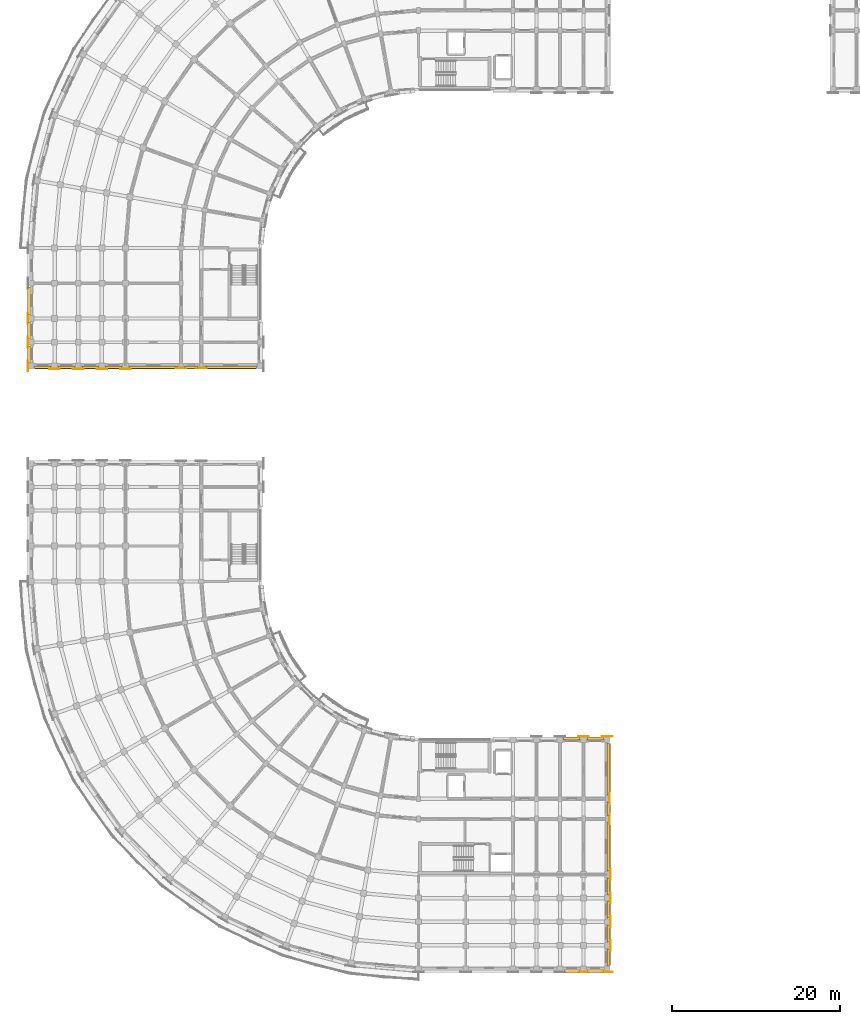
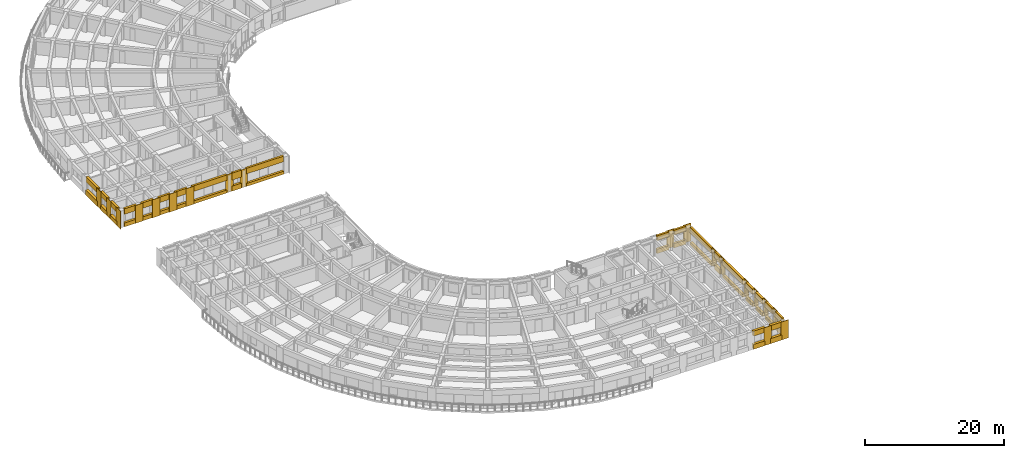
# One storey, part 45 of 57: 61 coverings.
"""IFC4 building model written with IfcOpenShell, lengths in metres."""

from ifc_helpers import new_model, si_unit, direction, frame, origin, place, context, subcontext, project, spatial, polyline, outline, extrude, material, layer, layer_set, type_object, element, save


model = new_model("IFC4")

# Units and contexts
model_context = context("Model", 3, precision=1e-05, world=origin(), true_north=direction((0.0, 1.0)))
body_context = subcontext(model_context, "Body", "Model", "MODEL_VIEW")
ifc_project = project(units=[si_unit("LENGTHUNIT", "METRE"), si_unit("AREAUNIT", "SQUARE_METRE"), si_unit("VOLUMEUNIT", "CUBIC_METRE"), si_unit("PLANEANGLEUNIT", "RADIAN"), si_unit("MASSUNIT", "GRAM", prefix="KILO")], contexts=[model_context])

# Site, building, storey
site_placement = place(None, origin())
site = spatial("IfcSite", under=ifc_project, at=site_placement, CompositionType="ELEMENT")
building_placement = place(site_placement, origin())
building = spatial("IfcBuilding", under=site, at=building_placement, Name="Kiranvali Square Residences", CompositionType="ELEMENT")
storey_placement = place(building_placement, frame((0.0, 0.0, 18.14990234375)))
storey = spatial("IfcBuildingStorey", under=building, at=storey_placement, Name="L05", CompositionType="ELEMENT", Elevation=18.14990234375)

# Coverings
ifc_material = material(Name="Honed Porbandar limestone ashlar facade cladding", Category="masonry")
ifc_layer_1 = layer(ifc_material, 0.06494140625)
ifc_layer_set_1 = layer_set([ifc_layer_1], Name="Honed Porbandar limestone ashlar facade cladding")
covering_type_1 = type_object("IfcCoveringType", Name="COV-CLAD-PIER", PredefinedType="CLADDING", material=ifc_layer_set_1)
covering_1_placement = place(storey_placement, frame((0.0, 0.0, 0.005126953125)))
element("IfcCovering", 1, at=covering_1_placement, inside=storey, type_object=covering_type_1, Name="L05 Classical limestone pilaster casing CLAD-PR-A-L05-V84", PredefinedType="CLADDING", context=body_context, shape_type="SweptSolid", body=[
    extrude(outline(polyline([(1.781982421875, 80.030029296875), (1.781982421875, 78.77001953125), (1.849609375, 78.77001953125), (1.849609375, 80.030029296875), (1.781982421875, 80.030029296875)])), origin(), (0.0, 0.0, 1.0), 3.139892578125),
])
covering_2_placement = place(storey_placement, frame((0.0, 0.0, 0.005126953125)))
element("IfcCovering", 2, at=covering_2_placement, inside=storey, type_object=covering_type_1, Name="L05 Classical limestone pilaster casing CLAD-PR-A-L05-V112", PredefinedType="CLADDING", context=body_context, shape_type="SweptSolid", body=[
    extrude(outline(polyline([(1.781982421875, 77.22998046875), (1.781982421875, 75.969970703125), (1.849609375, 75.969970703125), (1.849609375, 77.22998046875), (1.781982421875, 77.22998046875)])), origin(), (0.0, 0.0, 1.0), 3.139892578125),
])
covering_3_placement = place(storey_placement, frame((0.0, 0.0, 0.005126953125)))
element("IfcCovering", 3, at=covering_3_placement, inside=storey, type_object=covering_type_1, Name="L05 Classical limestone pilaster casing CLAD-PR-A-L05-V140", PredefinedType="CLADDING", context=body_context, shape_type="SweptSolid", body=[
    extrude(outline(polyline([(1.781982421875, 74.429931640625), (1.781982421875, 73.169921875), (1.849609375, 73.169921875), (1.849609375, 74.429931640625), (1.781982421875, 74.429931640625)])), origin(), (0.0, 0.0, 1.0), 3.139892578125),
])
covering_4_placement = place(storey_placement, frame((0.0, 0.0, 0.005126953125)))
element("IfcCovering", 4, at=covering_4_placement, inside=storey, type_object=covering_type_1, Name="L05 Classical limestone pilaster casing CLAD-PR-C-L05-U195", PredefinedType="CLADDING", context=body_context, shape_type="SweptSolid", body=[
    extrude(outline(polyline([(67.169921875, 1.781982421875), (68.429931640625, 1.781982421875), (68.429931640625, 1.849609375), (67.169921875, 1.849609375), (67.169921875, 1.781982421875)])), origin(), (0.0, 0.0, 1.0), 3.139892578125),
])
covering_5_placement = place(storey_placement, frame((0.0, 0.0, 0.005126953125)))
element("IfcCovering", 5, at=covering_5_placement, inside=storey, type_object=covering_type_1, Name="L05 Classical limestone pilaster casing CLAD-PR-C-L05-U224", PredefinedType="CLADDING", context=body_context, shape_type="SweptSolid", body=[
    extrude(outline(polyline([(69.969970703125, 1.781982421875), (71.22998046875, 1.781982421875), (71.22998046875, 1.849609375), (69.969970703125, 1.849609375), (69.969970703125, 1.781982421875)])), origin(), (0.0, 0.0, 1.0), 3.139892578125),
])
ifc_layer_2 = layer(ifc_material, 0.050048828125)
ifc_layer_set_2 = layer_set([ifc_layer_2], Name="Honed Porbandar limestone ashlar facade cladding")
covering_type_2 = type_object("IfcCoveringType", Name="COV-CLAD-PIER-IN", PredefinedType="CLADDING", material=ifc_layer_set_2)
covering_6_placement = place(storey_placement, frame((0.0, 0.0, 0.005126953125)))
element("IfcCovering", 6, at=covering_6_placement, inside=storey, type_object=covering_type_2, Name="L05 Classical limestone pilaster casing CLAD-PRA1I-C-L05-U195", PredefinedType="CLADDING", context=body_context, shape_type="SweptSolid", body=[
    extrude(outline(polyline([(67.169921875, 29.75048828125), (68.429931640625, 29.75048828125), (68.429931640625, 29.818115234375), (67.169921875, 29.818115234375), (67.169921875, 29.75048828125)])), origin(), (0.0, 0.0, 1.0), 3.139892578125),
])
covering_7_placement = place(storey_placement, frame((0.0, 0.0, 0.005126953125)))
element("IfcCovering", 7, at=covering_7_placement, inside=storey, type_object=covering_type_2, Name="L05 Classical limestone pilaster casing CLAD-PRA1I-C-L05-U224", PredefinedType="CLADDING", context=body_context, shape_type="SweptSolid", body=[
    extrude(outline(polyline([(69.969970703125, 29.75048828125), (71.22998046875, 29.75048828125), (71.22998046875, 29.818115234375), (69.969970703125, 29.818115234375), (69.969970703125, 29.75048828125)])), origin(), (0.0, 0.0, 1.0), 3.139892578125),
])
ifc_layer_3 = layer(ifc_material, 0.054931640625)
ifc_layer_set_3 = layer_set([ifc_layer_3], Name="Honed Porbandar limestone ashlar facade cladding")
covering_type_3 = type_object("IfcCoveringType", Name="COV-CLAD-PIER-UP", PredefinedType="CLADDING", material=ifc_layer_set_3)
covering_8_placement = place(storey_placement, frame((0.0, 0.0, 0.005126953125)))
element("IfcCovering", 8, at=covering_8_placement, inside=storey, type_object=covering_type_3, Name="L05 Classical limestone pilaster casing CLAD-PRA2E-A-L05-R258", PredefinedType="CLADDING", context=body_context, shape_type="SweptSolid", body=[
    extrude(outline(polyline([(23.030029296875, 73.549560546875), (21.77001953125, 73.549560546875), (21.77001953125, 73.48193359375), (23.030029296875, 73.48193359375), (23.030029296875, 73.549560546875)])), origin(), (0.0, 0.0, 1.0), 3.139892578125),
])
covering_9_placement = place(storey_placement, frame((0.0, 0.0, 0.005126953125)))
element("IfcCovering", 9, at=covering_9_placement, inside=storey, type_object=covering_type_3, Name="L05 Classical limestone pilaster casing CLAD-PRA2E-A-L05-R282", PredefinedType="CLADDING", context=body_context, shape_type="SweptSolid", body=[
    extrude(outline(polyline([(20.6298828125, 73.549560546875), (19.3701171875, 73.549560546875), (19.3701171875, 73.48193359375), (20.6298828125, 73.48193359375), (20.6298828125, 73.549560546875)])), origin(), (0.0, 0.0, 1.0), 3.139892578125),
])
covering_10_placement = place(storey_placement, frame((0.0, 0.0, 0.005126953125)))
element("IfcCovering", 10, at=covering_10_placement, inside=storey, type_object=covering_type_3, Name="L05 Classical limestone pilaster casing CLAD-PRA2E-A-L05-R348", PredefinedType="CLADDING", context=body_context, shape_type="SweptSolid", body=[
    extrude(outline(polyline([(14.030029296875, 73.449462890625), (12.77001953125, 73.449462890625), (12.77001953125, 73.382080078125), (14.030029296875, 73.382080078125), (14.030029296875, 73.449462890625)])), origin(), (0.0, 0.0, 1.0), 3.139892578125),
])
covering_11_placement = place(storey_placement, frame((0.0, 0.0, 0.005126953125)))
element("IfcCovering", 11, at=covering_11_placement, inside=storey, type_object=covering_type_3, Name="L05 Classical limestone pilaster casing CLAD-PRA2E-A-L05-R376", PredefinedType="CLADDING", context=body_context, shape_type="SweptSolid", body=[
    extrude(outline(polyline([(11.22998046875, 73.449462890625), (9.969970703125, 73.449462890625), (9.969970703125, 73.382080078125), (11.22998046875, 73.382080078125), (11.22998046875, 73.449462890625)])), origin(), (0.0, 0.0, 1.0), 3.139892578125),
])
covering_12_placement = place(storey_placement, frame((0.0, 0.0, 0.005126953125)))
element("IfcCovering", 12, at=covering_12_placement, inside=storey, type_object=covering_type_3, Name="L05 Classical limestone pilaster casing CLAD-PRA2E-A-L05-R404", PredefinedType="CLADDING", context=body_context, shape_type="SweptSolid", body=[
    extrude(outline(polyline([(8.429931640625, 73.449462890625), (7.169921875, 73.449462890625), (7.169921875, 73.382080078125), (8.429931640625, 73.382080078125), (8.429931640625, 73.449462890625)])), origin(), (0.0, 0.0, 1.0), 3.139892578125),
])
covering_13_placement = place(storey_placement, frame((0.0, 0.0, 0.005126953125)))
element("IfcCovering", 13, at=covering_13_placement, inside=storey, type_object=covering_type_3, Name="L05 Classical limestone pilaster casing CLAD-PRA2E-A-L05-R432", PredefinedType="CLADDING", context=body_context, shape_type="SweptSolid", body=[
    extrude(outline(polyline([(5.6298828125, 73.449462890625), (4.3701171875, 73.449462890625), (4.3701171875, 73.382080078125), (5.6298828125, 73.382080078125), (5.6298828125, 73.449462890625)])), origin(), (0.0, 0.0, 1.0), 3.139892578125),
])
covering_14_placement = place(storey_placement, frame((0.0, 0.0, 0.005126953125)))
element("IfcCovering", 14, at=covering_14_placement, inside=storey, type_object=covering_type_3, Name="L05 Classical limestone pilaster casing CLAD-PRA1E-C-L05-R258", PredefinedType="CLADDING", context=body_context, shape_type="SweptSolid", body=[
    extrude(outline(polyline([(70.8505859375, 23.030029296875), (70.8505859375, 21.77001953125), (70.91796875, 21.77001953125), (70.91796875, 23.030029296875), (70.8505859375, 23.030029296875)])), origin(), (0.0, 0.0, 1.0), 3.139892578125),
])
covering_15_placement = place(storey_placement, frame((0.0, 0.0, 0.005126953125)))
element("IfcCovering", 15, at=covering_15_placement, inside=storey, type_object=covering_type_3, Name="L05 Classical limestone pilaster casing CLAD-PRA1E-C-L05-R282", PredefinedType="CLADDING", context=body_context, shape_type="SweptSolid", body=[
    extrude(outline(polyline([(70.8505859375, 20.6298828125), (70.8505859375, 19.3701171875), (70.91796875, 19.3701171875), (70.91796875, 20.6298828125), (70.8505859375, 20.6298828125)])), origin(), (0.0, 0.0, 1.0), 3.139892578125),
])
covering_16_placement = place(storey_placement, frame((0.0, 0.0, 0.005126953125)))
element("IfcCovering", 16, at=covering_16_placement, inside=storey, type_object=covering_type_3, Name="L05 Classical limestone pilaster casing CLAD-PRA1E-C-L05-R348", PredefinedType="CLADDING", context=body_context, shape_type="SweptSolid", body=[
    extrude(outline(polyline([(70.950439453125, 14.030029296875), (70.950439453125, 12.77001953125), (71.01806640625, 12.77001953125), (71.01806640625, 14.030029296875), (70.950439453125, 14.030029296875)])), origin(), (0.0, 0.0, 1.0), 3.139892578125),
])
covering_17_placement = place(storey_placement, frame((0.0, 0.0, 0.005126953125)))
element("IfcCovering", 17, at=covering_17_placement, inside=storey, type_object=covering_type_3, Name="L05 Classical limestone pilaster casing CLAD-PRA1E-C-L05-R376", PredefinedType="CLADDING", context=body_context, shape_type="SweptSolid", body=[
    extrude(outline(polyline([(70.950439453125, 11.22998046875), (70.950439453125, 9.969970703125), (71.01806640625, 9.969970703125), (71.01806640625, 11.22998046875), (70.950439453125, 11.22998046875)])), origin(), (0.0, 0.0, 1.0), 3.139892578125),
])
covering_18_placement = place(storey_placement, frame((0.0, 0.0, 0.005126953125)))
element("IfcCovering", 18, at=covering_18_placement, inside=storey, type_object=covering_type_3, Name="L05 Classical limestone pilaster casing CLAD-PRA1E-C-L05-R404", PredefinedType="CLADDING", context=body_context, shape_type="SweptSolid", body=[
    extrude(outline(polyline([(70.950439453125, 8.429931640625), (70.950439453125, 7.169921875), (71.01806640625, 7.169921875), (71.01806640625, 8.429931640625), (70.950439453125, 8.429931640625)])), origin(), (0.0, 0.0, 1.0), 3.139892578125),
])
covering_19_placement = place(storey_placement, frame((0.0, 0.0, 0.005126953125)))
element("IfcCovering", 19, at=covering_19_placement, inside=storey, type_object=covering_type_3, Name="L05 Classical limestone pilaster casing CLAD-PRA1E-C-L05-R432", PredefinedType="CLADDING", context=body_context, shape_type="SweptSolid", body=[
    extrude(outline(polyline([(70.950439453125, 5.6298828125), (70.950439453125, 4.3701171875), (71.01806640625, 4.3701171875), (71.01806640625, 5.6298828125), (70.950439453125, 5.6298828125)])), origin(), (0.0, 0.0, 1.0), 3.139892578125),
])
ifc_layer_4 = layer(ifc_material, 0.360107421875)
ifc_layer_set_4 = layer_set([ifc_layer_4], Name="Honed Porbandar limestone ashlar facade cladding")
covering_type_4 = type_object("IfcCoveringType", Name="COV-CLAD-WALL", PredefinedType="CLADDING", material=ifc_layer_set_4)
covering_20_placement = place(storey_placement, frame((0.0, 0.0, 2.280029296875)))
element("IfcCovering", 20, at=covering_20_placement, inside=storey, type_object=covering_type_4, Name="L05 light limestone spandrel lintel A-L05-A2O-1", PredefinedType="CLADDING", context=body_context, shape_type="SweptSolid", body=[
    extrude(outline(polyline([(1.800048828125, 83.179931640625), (1.800048828125, 79.820068359375), (2.199462890625, 79.820068359375), (2.199462890625, 83.179931640625), (1.800048828125, 83.179931640625)])), origin(), (0.0, 0.0, 1.0), 0.864990234375),
])
covering_21_placement = place(storey_placement, frame((0.0, 0.0, 0.005126953125)))
element("IfcCovering", 21, at=covering_21_placement, inside=storey, type_object=covering_type_4, Name="L05 limestone window sill apron A-L05-A2O-1", PredefinedType="CLADDING", context=body_context, shape_type="SweptSolid", body=[
    extrude(outline(polyline([(1.77001953125, 83.179931640625), (1.77001953125, 79.820068359375), (2.199462890625, 79.820068359375), (2.199462890625, 83.179931640625), (1.77001953125, 83.179931640625)])), origin(), (0.0, 0.0, 1.0), 0.875),
])
covering_22_placement = place(storey_placement, frame((0.0, 0.0, 2.272216796875)))
element("IfcCovering", 22, at=covering_22_placement, inside=storey, type_object=covering_type_4, Name="L05 light limestone spandrel lintel A-L05-A2O-2", PredefinedType="CLADDING", context=body_context, shape_type="SweptSolid", body=[
    extrude(outline(polyline([(1.800048828125, 78.97998046875), (1.800048828125, 77.02001953125), (2.199462890625, 77.02001953125), (2.199462890625, 78.97998046875), (1.800048828125, 78.97998046875)])), origin(), (0.0, 0.0, 1.0), 0.872802734375),
])
covering_23_placement = place(storey_placement, frame((0.0, 0.0, 0.005126953125)))
element("IfcCovering", 23, at=covering_23_placement, inside=storey, type_object=covering_type_4, Name="L05 limestone window sill apron A-L05-A2O-2", PredefinedType="CLADDING", context=body_context, shape_type="SweptSolid", body=[
    extrude(outline(polyline([(1.77001953125, 78.97998046875), (1.77001953125, 77.02001953125), (2.199462890625, 77.02001953125), (2.199462890625, 78.97998046875), (1.77001953125, 78.97998046875)])), origin(), (0.0, 0.0, 1.0), 0.76708984375),
])
covering_24_placement = place(storey_placement, frame((0.0, 0.0, 2.272216796875)))
element("IfcCovering", 24, at=covering_24_placement, inside=storey, type_object=covering_type_4, Name="L05 light limestone spandrel lintel A-L05-A2O-3", PredefinedType="CLADDING", context=body_context, shape_type="SweptSolid", body=[
    extrude(outline(polyline([(1.800048828125, 76.179931640625), (1.800048828125, 74.219970703125), (2.199462890625, 74.219970703125), (2.199462890625, 76.179931640625), (1.800048828125, 76.179931640625)])), origin(), (0.0, 0.0, 1.0), 0.872802734375),
])
covering_25_placement = place(storey_placement, frame((0.0, 0.0, 0.005126953125)))
element("IfcCovering", 25, at=covering_25_placement, inside=storey, type_object=covering_type_4, Name="L05 limestone window sill apron A-L05-A2O-3", PredefinedType="CLADDING", context=body_context, shape_type="SweptSolid", body=[
    extrude(outline(polyline([(1.77001953125, 76.179931640625), (1.77001953125, 74.219970703125), (2.199462890625, 74.219970703125), (2.199462890625, 76.179931640625), (1.77001953125, 76.179931640625)])), origin(), (0.0, 0.0, 1.0), 0.76708984375),
])
covering_26_placement = place(storey_placement, frame((0.0, 0.0, 2.172119140625)))
element("IfcCovering", 26, at=covering_26_placement, inside=storey, type_object=covering_type_4, Name="L05 light limestone spandrel lintel A-L05-A2END-0", PredefinedType="CLADDING", context=body_context, shape_type="SweptSolid", body=[
    extrude(outline(polyline([(28.97998046875, 73.799560546875), (22.820068359375, 73.799560546875), (22.820068359375, 73.4599609375), (28.97998046875, 73.4599609375), (28.97998046875, 73.799560546875)])), origin(), (0.0, 0.0, 1.0), 0.972900390625),
])
covering_27_placement = place(storey_placement, frame((0.0, 0.0, 0.005126953125)))
element("IfcCovering", 27, at=covering_27_placement, inside=storey, type_object=covering_type_4, Name="L05 limestone window sill apron A-L05-A2END-0", PredefinedType="CLADDING", context=body_context, shape_type="SweptSolid", body=[
    extrude(outline(polyline([(28.97998046875, 73.799560546875), (22.820068359375, 73.799560546875), (22.820068359375, 73.429931640625), (28.97998046875, 73.429931640625), (28.97998046875, 73.799560546875)])), origin(), (0.0, 0.0, 1.0), 0.51708984375),
])
covering_28_placement = place(storey_placement, frame((0.0, 0.0, 1.93017578125)))
element("IfcCovering", 28, at=covering_28_placement, inside=storey, type_object=covering_type_4, Name="L05 light limestone spandrel lintel A-L05-A2END-1", PredefinedType="CLADDING", context=body_context, shape_type="SweptSolid", body=[
    extrude(outline(polyline([(21.97998046875, 73.799560546875), (20.419921875, 73.799560546875), (20.419921875, 73.4599609375), (21.97998046875, 73.4599609375), (21.97998046875, 73.799560546875)])), origin(), (0.0, 0.0, 1.0), 1.21484375),
])
covering_29_placement = place(storey_placement, frame((0.0, 0.0, 0.005126953125)))
element("IfcCovering", 29, at=covering_29_placement, inside=storey, type_object=covering_type_4, Name="L05 limestone window sill apron A-L05-A2END-1", PredefinedType="CLADDING", context=body_context, shape_type="SweptSolid", body=[
    extrude(outline(polyline([(21.97998046875, 73.799560546875), (20.419921875, 73.799560546875), (20.419921875, 73.429931640625), (21.97998046875, 73.429931640625), (21.97998046875, 73.799560546875)])), origin(), (0.0, 0.0, 1.0), 0.875),
])
covering_30_placement = place(storey_placement, frame((0.0, 0.0, 2.172119140625)))
element("IfcCovering", 30, at=covering_30_placement, inside=storey, type_object=covering_type_4, Name="L05 light limestone spandrel lintel A-L05-A2END-2", PredefinedType="CLADDING", context=body_context, shape_type="SweptSolid", body=[
    extrude(outline(polyline([(19.580078125, 73.799560546875), (13.820068359375, 73.799560546875), (13.820068359375, 73.4599609375), (19.580078125, 73.4599609375), (19.580078125, 73.799560546875)])), origin(), (0.0, 0.0, 1.0), 0.972900390625),
])
covering_31_placement = place(storey_placement, frame((0.0, 0.0, 0.005126953125)))
element("IfcCovering", 31, at=covering_31_placement, inside=storey, type_object=covering_type_4, Name="L05 limestone window sill apron A-L05-A2END-2", PredefinedType="CLADDING", context=body_context, shape_type="SweptSolid", body=[
    extrude(outline(polyline([(19.580078125, 73.799560546875), (13.820068359375, 73.799560546875), (13.820068359375, 73.429931640625), (19.580078125, 73.429931640625), (19.580078125, 73.799560546875)])), origin(), (0.0, 0.0, 1.0), 0.51708984375),
])
covering_32_placement = place(storey_placement, frame((0.0, 0.0, 2.172119140625)))
element("IfcCovering", 32, at=covering_32_placement, inside=storey, type_object=covering_type_4, Name="L05 light limestone spandrel lintel A-L05-A2END-3", PredefinedType="CLADDING", context=body_context, shape_type="SweptSolid", body=[
    extrude(outline(polyline([(12.97998046875, 73.799560546875), (11.02001953125, 73.799560546875), (11.02001953125, 73.4599609375), (12.97998046875, 73.4599609375), (12.97998046875, 73.799560546875)])), origin(), (0.0, 0.0, 1.0), 0.972900390625),
])
covering_33_placement = place(storey_placement, frame((0.0, 0.0, 0.005126953125)))
element("IfcCovering", 33, at=covering_33_placement, inside=storey, type_object=covering_type_4, Name="L05 limestone window sill apron A-L05-A2END-3", PredefinedType="CLADDING", context=body_context, shape_type="SweptSolid", body=[
    extrude(outline(polyline([(12.97998046875, 73.799560546875), (11.02001953125, 73.799560546875), (11.02001953125, 73.429931640625), (12.97998046875, 73.429931640625), (12.97998046875, 73.799560546875)])), origin(), (0.0, 0.0, 1.0), 0.6669921875),
])
covering_34_placement = place(storey_placement, frame((0.0, 0.0, 2.172119140625)))
element("IfcCovering", 34, at=covering_34_placement, inside=storey, type_object=covering_type_4, Name="L05 light limestone spandrel lintel A-L05-A2END-4", PredefinedType="CLADDING", context=body_context, shape_type="SweptSolid", body=[
    extrude(outline(polyline([(10.179931640625, 73.799560546875), (8.219970703125, 73.799560546875), (8.219970703125, 73.4599609375), (10.179931640625, 73.4599609375), (10.179931640625, 73.799560546875)])), origin(), (0.0, 0.0, 1.0), 0.972900390625),
])
covering_35_placement = place(storey_placement, frame((0.0, 0.0, 0.005126953125)))
element("IfcCovering", 35, at=covering_35_placement, inside=storey, type_object=covering_type_4, Name="L05 limestone window sill apron A-L05-A2END-4", PredefinedType="CLADDING", context=body_context, shape_type="SweptSolid", body=[
    extrude(outline(polyline([(10.179931640625, 73.799560546875), (8.219970703125, 73.799560546875), (8.219970703125, 73.429931640625), (10.179931640625, 73.429931640625), (10.179931640625, 73.799560546875)])), origin(), (0.0, 0.0, 1.0), 0.6669921875),
])
covering_36_placement = place(storey_placement, frame((0.0, 0.0, 2.172119140625)))
element("IfcCovering", 36, at=covering_36_placement, inside=storey, type_object=covering_type_4, Name="L05 light limestone spandrel lintel A-L05-A2END-5", PredefinedType="CLADDING", context=body_context, shape_type="SweptSolid", body=[
    extrude(outline(polyline([(7.3798828125, 73.799560546875), (5.419921875, 73.799560546875), (5.419921875, 73.4599609375), (7.3798828125, 73.4599609375), (7.3798828125, 73.799560546875)])), origin(), (0.0, 0.0, 1.0), 0.972900390625),
])
covering_37_placement = place(storey_placement, frame((0.0, 0.0, 0.005126953125)))
element("IfcCovering", 37, at=covering_37_placement, inside=storey, type_object=covering_type_4, Name="L05 limestone window sill apron A-L05-A2END-5", PredefinedType="CLADDING", context=body_context, shape_type="SweptSolid", body=[
    extrude(outline(polyline([(7.3798828125, 73.799560546875), (5.419921875, 73.799560546875), (5.419921875, 73.429931640625), (7.3798828125, 73.429931640625), (7.3798828125, 73.799560546875)])), origin(), (0.0, 0.0, 1.0), 0.6669921875),
])
covering_38_placement = place(storey_placement, frame((0.0, 0.0, 2.172119140625)))
element("IfcCovering", 38, at=covering_38_placement, inside=storey, type_object=covering_type_4, Name="L05 light limestone spandrel lintel A-L05-A2END-6", PredefinedType="CLADDING", context=body_context, shape_type="SweptSolid", body=[
    extrude(outline(polyline([(4.580078125, 73.799560546875), (2.6201171875, 73.799560546875), (2.6201171875, 73.4599609375), (4.580078125, 73.4599609375), (4.580078125, 73.799560546875)])), origin(), (0.0, 0.0, 1.0), 0.972900390625),
])
covering_39_placement = place(storey_placement, frame((0.0, 0.0, 0.005126953125)))
element("IfcCovering", 39, at=covering_39_placement, inside=storey, type_object=covering_type_4, Name="L05 limestone window sill apron A-L05-A2END-6", PredefinedType="CLADDING", context=body_context, shape_type="SweptSolid", body=[
    extrude(outline(polyline([(4.580078125, 73.799560546875), (2.6201171875, 73.799560546875), (2.6201171875, 73.429931640625), (4.580078125, 73.429931640625), (4.580078125, 73.799560546875)])), origin(), (0.0, 0.0, 1.0), 0.6669921875),
])
covering_40_placement = place(storey_placement, frame((0.0, 0.0, 2.280029296875)))
element("IfcCovering", 40, at=covering_40_placement, inside=storey, type_object=covering_type_4, Name="L05 light limestone spandrel lintel C-L05-A1O-4", PredefinedType="CLADDING", context=body_context, shape_type="SweptSolid", body=[
    extrude(outline(polyline([(65.43994140625, 1.800048828125), (67.360107421875, 1.800048828125), (67.360107421875, 2.199462890625), (65.43994140625, 2.199462890625), (65.43994140625, 1.800048828125)])), origin(), (0.0, 0.0, 1.0), 0.864990234375),
])
covering_41_placement = place(storey_placement, frame((0.0, 0.0, 0.005126953125)))
element("IfcCovering", 41, at=covering_41_placement, inside=storey, type_object=covering_type_4, Name="L05 limestone window sill apron C-L05-A1O-4", PredefinedType="CLADDING", context=body_context, shape_type="SweptSolid", body=[
    extrude(outline(polyline([(65.43994140625, 1.77001953125), (67.360107421875, 1.77001953125), (67.360107421875, 2.199462890625), (65.43994140625, 2.199462890625), (65.43994140625, 1.77001953125)])), origin(), (0.0, 0.0, 1.0), 0.824951171875),
])
covering_42_placement = place(storey_placement, frame((0.0, 0.0, 2.22998046875)))
element("IfcCovering", 42, at=covering_42_placement, inside=storey, type_object=covering_type_4, Name="L05 light limestone spandrel lintel C-L05-A1O-5", PredefinedType="CLADDING", context=body_context, shape_type="SweptSolid", body=[
    extrude(outline(polyline([(68.239990234375, 1.800048828125), (70.159912109375, 1.800048828125), (70.159912109375, 2.199462890625), (68.239990234375, 2.199462890625), (68.239990234375, 1.800048828125)])), origin(), (0.0, 0.0, 1.0), 0.9150390625),
])
covering_43_placement = place(storey_placement, frame((0.0, 0.0, 0.005126953125)))
element("IfcCovering", 43, at=covering_43_placement, inside=storey, type_object=covering_type_4, Name="L05 limestone window sill apron C-L05-A1O-5", PredefinedType="CLADDING", context=body_context, shape_type="SweptSolid", body=[
    extrude(outline(polyline([(68.239990234375, 1.77001953125), (70.159912109375, 1.77001953125), (70.159912109375, 2.199462890625), (68.239990234375, 2.199462890625), (68.239990234375, 1.77001953125)])), origin(), (0.0, 0.0, 1.0), 0.875),
])
covering_44_placement = place(storey_placement, frame((0.0, 0.0, 2.272216796875)))
element("IfcCovering", 44, at=covering_44_placement, inside=storey, type_object=covering_type_4, Name="L05 light limestone spandrel lintel C-L05-A1I-2", PredefinedType="CLADDING", context=body_context, shape_type="SweptSolid", body=[
    extrude(outline(polyline([(65.419921875, 29.400390625), (67.3798828125, 29.400390625), (67.3798828125, 29.719970703125), (65.419921875, 29.719970703125), (65.419921875, 29.400390625)])), origin(), (0.0, 0.0, 1.0), 0.872802734375),
])
covering_45_placement = place(storey_placement, frame((0.0, 0.0, 0.005126953125)))
element("IfcCovering", 45, at=covering_45_placement, inside=storey, type_object=covering_type_4, Name="L05 limestone window sill apron C-L05-A1I-2", PredefinedType="CLADDING", context=body_context, shape_type="SweptSolid", body=[
    extrude(outline(polyline([(65.419921875, 29.400390625), (67.3798828125, 29.400390625), (67.3798828125, 29.75), (65.419921875, 29.75), (65.419921875, 29.400390625)])), origin(), (0.0, 0.0, 1.0), 0.76708984375),
])
covering_46_placement = place(storey_placement, frame((0.0, 0.0, 2.272216796875)))
element("IfcCovering", 46, at=covering_46_placement, inside=storey, type_object=covering_type_4, Name="L05 light limestone spandrel lintel C-L05-A1I-3", PredefinedType="CLADDING", context=body_context, shape_type="SweptSolid", body=[
    extrude(outline(polyline([(68.219970703125, 29.400390625), (70.179931640625, 29.400390625), (70.179931640625, 29.719970703125), (68.219970703125, 29.719970703125), (68.219970703125, 29.400390625)])), origin(), (0.0, 0.0, 1.0), 0.872802734375),
])
covering_47_placement = place(storey_placement, frame((0.0, 0.0, 0.005126953125)))
element("IfcCovering", 47, at=covering_47_placement, inside=storey, type_object=covering_type_4, Name="L05 limestone window sill apron C-L05-A1I-3", PredefinedType="CLADDING", context=body_context, shape_type="SweptSolid", body=[
    extrude(outline(polyline([(68.219970703125, 29.400390625), (70.179931640625, 29.400390625), (70.179931640625, 29.75), (68.219970703125, 29.75), (68.219970703125, 29.400390625)])), origin(), (0.0, 0.0, 1.0), 0.76708984375),
])
covering_48_placement = place(storey_placement, frame((0.0, 0.0, 2.172119140625)))
element("IfcCovering", 48, at=covering_48_placement, inside=storey, type_object=covering_type_4, Name="L05 light limestone spandrel lintel C-L05-A1END-0", PredefinedType="CLADDING", context=body_context, shape_type="SweptSolid", body=[
    extrude(outline(polyline([(70.6005859375, 28.97998046875), (70.6005859375, 22.820068359375), (70.93994140625, 22.820068359375), (70.93994140625, 28.97998046875), (70.6005859375, 28.97998046875)])), origin(), (0.0, 0.0, 1.0), 0.972900390625),
])
covering_49_placement = place(storey_placement, frame((0.0, 0.0, 0.005126953125)))
element("IfcCovering", 49, at=covering_49_placement, inside=storey, type_object=covering_type_4, Name="L05 limestone window sill apron C-L05-A1END-0", PredefinedType="CLADDING", context=body_context, shape_type="SweptSolid", body=[
    extrude(outline(polyline([(70.6005859375, 28.97998046875), (70.6005859375, 22.820068359375), (70.969970703125, 22.820068359375), (70.969970703125, 28.97998046875), (70.6005859375, 28.97998046875)])), origin(), (0.0, 0.0, 1.0), 0.51708984375),
])
covering_50_placement = place(storey_placement, frame((0.0, 0.0, 1.93017578125)))
element("IfcCovering", 50, at=covering_50_placement, inside=storey, type_object=covering_type_4, Name="L05 light limestone spandrel lintel C-L05-A1END-1", PredefinedType="CLADDING", context=body_context, shape_type="SweptSolid", body=[
    extrude(outline(polyline([(70.6005859375, 21.97998046875), (70.6005859375, 20.419921875), (70.93994140625, 20.419921875), (70.93994140625, 21.97998046875), (70.6005859375, 21.97998046875)])), origin(), (0.0, 0.0, 1.0), 1.21484375),
])
covering_51_placement = place(storey_placement, frame((0.0, 0.0, 0.005126953125)))
element("IfcCovering", 51, at=covering_51_placement, inside=storey, type_object=covering_type_4, Name="L05 limestone window sill apron C-L05-A1END-1", PredefinedType="CLADDING", context=body_context, shape_type="SweptSolid", body=[
    extrude(outline(polyline([(70.6005859375, 21.97998046875), (70.6005859375, 20.419921875), (70.969970703125, 20.419921875), (70.969970703125, 21.97998046875), (70.6005859375, 21.97998046875)])), origin(), (0.0, 0.0, 1.0), 0.875),
])
covering_52_placement = place(storey_placement, frame((0.0, 0.0, 2.172119140625)))
element("IfcCovering", 52, at=covering_52_placement, inside=storey, type_object=covering_type_4, Name="L05 light limestone spandrel lintel C-L05-A1END-2", PredefinedType="CLADDING", context=body_context, shape_type="SweptSolid", body=[
    extrude(outline(polyline([(70.6005859375, 19.580078125), (70.6005859375, 13.820068359375), (70.93994140625, 13.820068359375), (70.93994140625, 19.580078125), (70.6005859375, 19.580078125)])), origin(), (0.0, 0.0, 1.0), 0.972900390625),
])
covering_53_placement = place(storey_placement, frame((0.0, 0.0, 0.005126953125)))
element("IfcCovering", 53, at=covering_53_placement, inside=storey, type_object=covering_type_4, Name="L05 limestone window sill apron C-L05-A1END-2", PredefinedType="CLADDING", context=body_context, shape_type="SweptSolid", body=[
    extrude(outline(polyline([(70.6005859375, 19.580078125), (70.6005859375, 13.820068359375), (70.969970703125, 13.820068359375), (70.969970703125, 19.580078125), (70.6005859375, 19.580078125)])), origin(), (0.0, 0.0, 1.0), 0.51708984375),
])
covering_54_placement = place(storey_placement, frame((0.0, 0.0, 2.172119140625)))
element("IfcCovering", 54, at=covering_54_placement, inside=storey, type_object=covering_type_4, Name="L05 light limestone spandrel lintel C-L05-A1END-3", PredefinedType="CLADDING", context=body_context, shape_type="SweptSolid", body=[
    extrude(outline(polyline([(70.6005859375, 12.97998046875), (70.6005859375, 11.02001953125), (70.93994140625, 11.02001953125), (70.93994140625, 12.97998046875), (70.6005859375, 12.97998046875)])), origin(), (0.0, 0.0, 1.0), 0.972900390625),
])
covering_55_placement = place(storey_placement, frame((0.0, 0.0, 0.005126953125)))
element("IfcCovering", 55, at=covering_55_placement, inside=storey, type_object=covering_type_4, Name="L05 limestone window sill apron C-L05-A1END-3", PredefinedType="CLADDING", context=body_context, shape_type="SweptSolid", body=[
    extrude(outline(polyline([(70.6005859375, 12.97998046875), (70.6005859375, 11.02001953125), (70.969970703125, 11.02001953125), (70.969970703125, 12.97998046875), (70.6005859375, 12.97998046875)])), origin(), (0.0, 0.0, 1.0), 0.6669921875),
])
covering_56_placement = place(storey_placement, frame((0.0, 0.0, 2.172119140625)))
element("IfcCovering", 56, at=covering_56_placement, inside=storey, type_object=covering_type_4, Name="L05 light limestone spandrel lintel C-L05-A1END-4", PredefinedType="CLADDING", context=body_context, shape_type="SweptSolid", body=[
    extrude(outline(polyline([(70.6005859375, 10.179931640625), (70.6005859375, 8.219970703125), (70.93994140625, 8.219970703125), (70.93994140625, 10.179931640625), (70.6005859375, 10.179931640625)])), origin(), (0.0, 0.0, 1.0), 0.972900390625),
])
covering_57_placement = place(storey_placement, frame((0.0, 0.0, 0.005126953125)))
element("IfcCovering", 57, at=covering_57_placement, inside=storey, type_object=covering_type_4, Name="L05 limestone window sill apron C-L05-A1END-4", PredefinedType="CLADDING", context=body_context, shape_type="SweptSolid", body=[
    extrude(outline(polyline([(70.6005859375, 10.179931640625), (70.6005859375, 8.219970703125), (70.969970703125, 8.219970703125), (70.969970703125, 10.179931640625), (70.6005859375, 10.179931640625)])), origin(), (0.0, 0.0, 1.0), 0.6669921875),
])
covering_58_placement = place(storey_placement, frame((0.0, 0.0, 2.172119140625)))
element("IfcCovering", 58, at=covering_58_placement, inside=storey, type_object=covering_type_4, Name="L05 light limestone spandrel lintel C-L05-A1END-5", PredefinedType="CLADDING", context=body_context, shape_type="SweptSolid", body=[
    extrude(outline(polyline([(70.6005859375, 7.3798828125), (70.6005859375, 5.419921875), (70.93994140625, 5.419921875), (70.93994140625, 7.3798828125), (70.6005859375, 7.3798828125)])), origin(), (0.0, 0.0, 1.0), 0.972900390625),
])
covering_59_placement = place(storey_placement, frame((0.0, 0.0, 0.005126953125)))
element("IfcCovering", 59, at=covering_59_placement, inside=storey, type_object=covering_type_4, Name="L05 limestone window sill apron C-L05-A1END-5", PredefinedType="CLADDING", context=body_context, shape_type="SweptSolid", body=[
    extrude(outline(polyline([(70.6005859375, 7.3798828125), (70.6005859375, 5.419921875), (70.969970703125, 5.419921875), (70.969970703125, 7.3798828125), (70.6005859375, 7.3798828125)])), origin(), (0.0, 0.0, 1.0), 0.6669921875),
])
covering_60_placement = place(storey_placement, frame((0.0, 0.0, 2.212158203125)))
element("IfcCovering", 60, at=covering_60_placement, inside=storey, type_object=covering_type_4, Name="L05 light limestone spandrel lintel C-L05-A1END-6", PredefinedType="CLADDING", context=body_context, shape_type="SweptSolid", body=[
    extrude(outline(polyline([(70.6005859375, 4.580078125), (70.6005859375, 2.6201171875), (70.93994140625, 2.6201171875), (70.93994140625, 4.580078125), (70.6005859375, 4.580078125)])), origin(), (0.0, 0.0, 1.0), 0.932861328125),
])
covering_61_placement = place(storey_placement, frame((0.0, 0.0, 0.005126953125)))
element("IfcCovering", 61, at=covering_61_placement, inside=storey, type_object=covering_type_4, Name="L05 limestone window sill apron C-L05-A1END-6", PredefinedType="CLADDING", context=body_context, shape_type="SweptSolid", body=[
    extrude(outline(polyline([(70.6005859375, 4.580078125), (70.6005859375, 2.6201171875), (70.969970703125, 2.6201171875), (70.969970703125, 4.580078125), (70.6005859375, 4.580078125)])), origin(), (0.0, 0.0, 1.0), 0.70703125),
])

save(model, "model.ifc")
